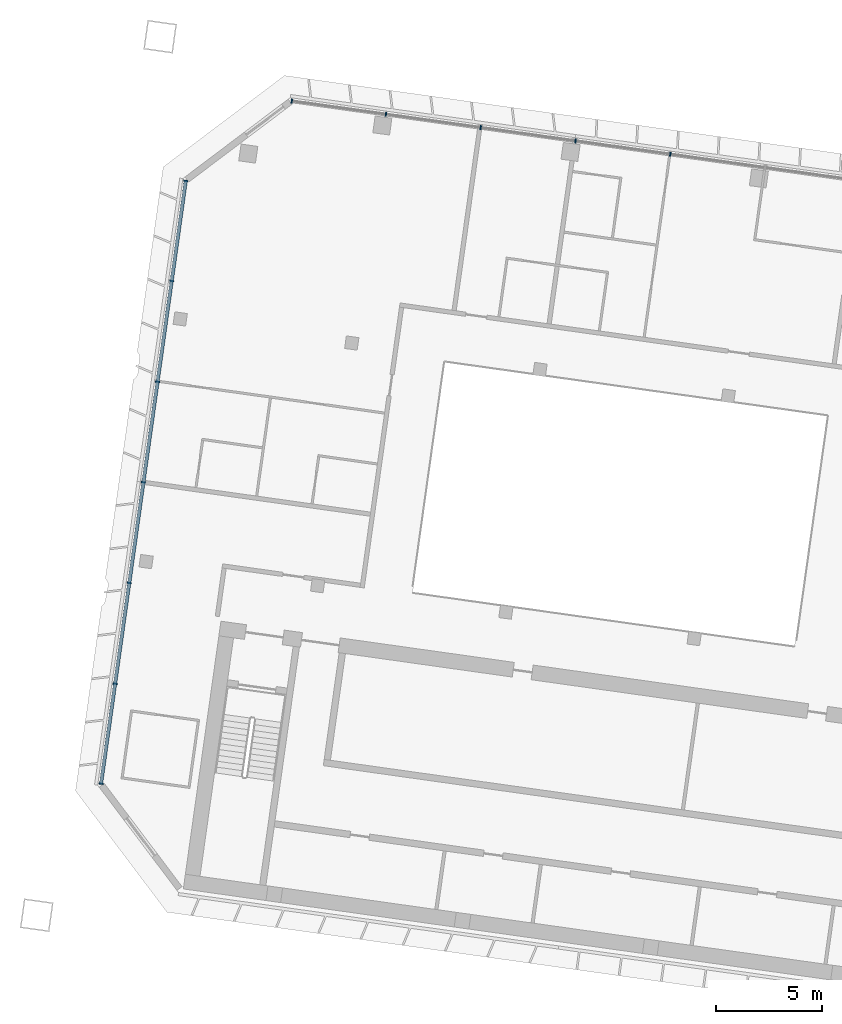
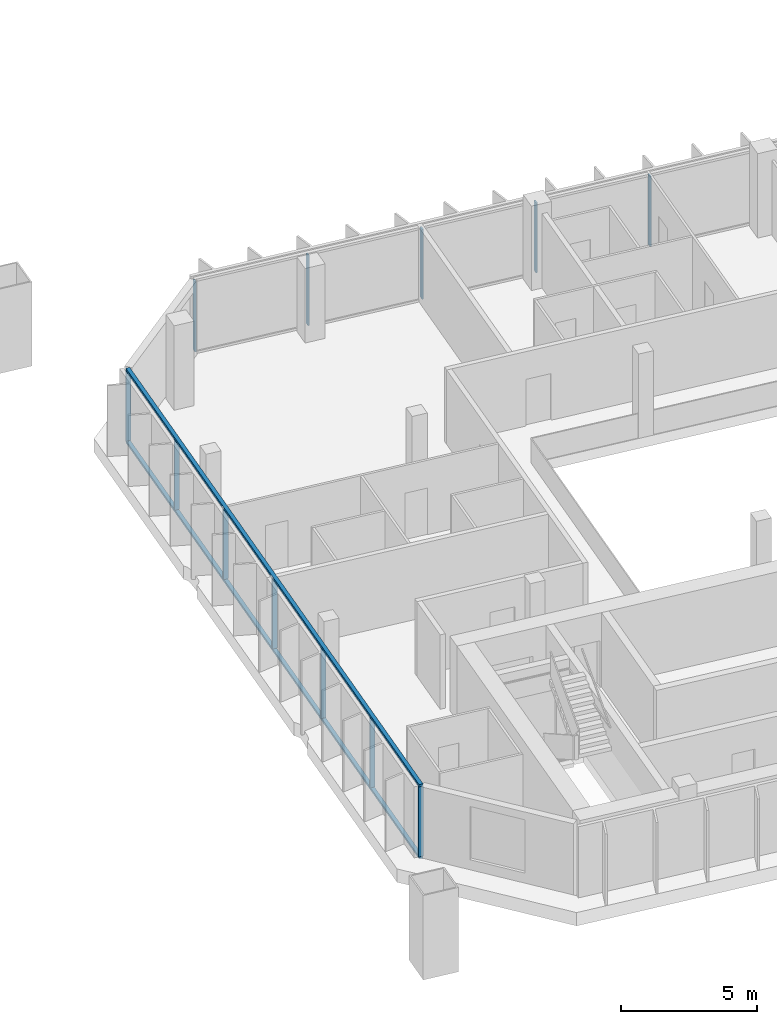
# One storey, part 2 of 25: 14 members, 2 elements without a shape of their own.
"""IFC4 building model written with IfcOpenShell, lengths in metres."""

from ifc_helpers import new_model, si_unit, direction, frame, origin, origin_2d, place, context, subcontext, project, spatial, rectangle, extrude, material, material_profile, profile_set, type_object, element, aggregate, save


model = new_model("IFC4")

# Units and contexts
model_context = context("Model", 3, precision=1e-05, world=origin(), true_north=direction((0.0, 1.0)))
body_context = subcontext(model_context, "Body", "Model", "MODEL_VIEW")
ifc_project = project(units=[si_unit("LENGTHUNIT", "METRE"), si_unit("AREAUNIT", "SQUARE_METRE"), si_unit("VOLUMEUNIT", "CUBIC_METRE"), si_unit("PLANEANGLEUNIT", "RADIAN"), si_unit("MASSUNIT", "GRAM", prefix="KILO")], contexts=[model_context])

# Site, building, storey
site_placement = place(None, origin())
site = spatial("IfcSite", under=ifc_project, at=site_placement, CompositionType="ELEMENT")
building_placement = place(site_placement, origin())
building = spatial("IfcBuilding", under=site, at=building_placement, Name="Mirante Cascada Hotel Towers", CompositionType="ELEMENT")
storey_placement = place(building_placement, frame((0.0, 0.0, 172.6)))
storey = spatial("IfcBuildingStorey", under=building, at=storey_placement, Name="L40", CompositionType="ELEMENT", Elevation=172.6)

# Curtain wall, members
ifc_material_1 = material(Name="Aluminium mullion and transom frame with clear laminated glass", Category="aluminium")
curtain_wall_type_1 = type_object("IfcCurtainWallType", Name="Ribbon curtain wall ECW1", PredefinedType="NOTDEFINED", material=ifc_material_1)
curtain_wall_1_placement = place(storey_placement, origin())
curtain_wall_1 = element("IfcCurtainWall", 1, at=curtain_wall_1_placement, inside=storey, type_object=curtain_wall_type_1, Name="Front ribbon wall T1 L40", PredefinedType="NOTDEFINED")
ifc_material_2 = material(Name="Anodised aluminium extrusion", Category="aluminium")
ifc_material_profile_1 = material_profile(ifc_material_2, rectangle(XDim=0.2, YDim=0.065, at=origin_2d()), Name="ECW1 MULLION 65x200")
ifc_profile_set_1 = profile_set([ifc_material_profile_1], Name="Anodised aluminium extrusion")
member_type_1 = type_object("IfcMemberType", Name="ECW1 mullion 65x200", PredefinedType="MULLION", material=ifc_profile_set_1)
member_1_placement = place(storey_placement, frame((-85.2136, 24.795, 0.1), z_axis=(0.0, 0.0, 1.0), x_axis=(0.1391731, 0.9902681, 0.0)))
member_1 = element("IfcMember", 2, at=member_1_placement, type_object=member_type_1, Name="ECW1 mullion 1", PredefinedType="MULLION", context=body_context, shape_type="SweptSolid", body=[
    extrude(rectangle(XDim=0.2, YDim=0.065, at=origin_2d()), origin(), (0.0, 0.0, 1.0), 3.15),
])
member_2_placement = place(storey_placement, frame((-80.758, 24.1688, 0.1), z_axis=(0.0, 0.0, 1.0), x_axis=(0.1391731, 0.9902681, 0.0)))
member_2 = element("IfcMember", 3, at=member_2_placement, type_object=member_type_1, Name="ECW1 mullion 2", PredefinedType="MULLION", context=body_context, shape_type="SweptSolid", body=[
    extrude(rectangle(XDim=0.2, YDim=0.065, at=origin_2d()), origin(), (0.0, 0.0, 1.0), 3.15),
])
member_3_placement = place(storey_placement, frame((-76.2702, 23.5381, 0.1), z_axis=(0.0, 0.0, 1.0), x_axis=(0.1391731, 0.9902681, 0.0)))
member_3 = element("IfcMember", 4, at=member_3_placement, type_object=member_type_1, Name="ECW1 mullion 3", PredefinedType="MULLION", context=body_context, shape_type="SweptSolid", body=[
    extrude(rectangle(XDim=0.2, YDim=0.065, at=origin_2d()), origin(), (0.0, 0.0, 1.0), 3.15),
])
member_4_placement = place(storey_placement, frame((-71.7824, 22.9074, 0.1), z_axis=(0.0, 0.0, 1.0), x_axis=(0.1391731, 0.9902681, 0.0)))
member_4 = element("IfcMember", 5, at=member_4_placement, type_object=member_type_1, Name="ECW1 mullion 4", PredefinedType="MULLION", context=body_context, shape_type="SweptSolid", body=[
    extrude(rectangle(XDim=0.2, YDim=0.065, at=origin_2d()), origin(), (0.0, 0.0, 1.0), 3.15),
])
member_5_placement = place(storey_placement, frame((-67.2947, 22.2767, 0.1), z_axis=(0.0, 0.0, 1.0), x_axis=(0.1391731, 0.9902681, 0.0)))
member_5 = element("IfcMember", 6, at=member_5_placement, type_object=member_type_1, Name="ECW1 mullion 5", PredefinedType="MULLION", context=body_context, shape_type="SweptSolid", body=[
    extrude(rectangle(XDim=0.2, YDim=0.065, at=origin_2d()), origin(), (0.0, 0.0, 1.0), 3.15),
])
aggregate(curtain_wall_1, [member_1, member_2, member_3, member_4, member_5])

ifc_material_3 = material(Name="Aluminium mullion and transom frame with clear laminated glass", Category="aluminium")
curtain_wall_type_2 = type_object("IfcCurtainWallType", Name="End ribbon curtain wall ECW2", PredefinedType="NOTDEFINED", material=ifc_material_3)
curtain_wall_2_placement = place(storey_placement, origin())
curtain_wall_2 = element("IfcCurtainWall", 7, at=curtain_wall_2_placement, inside=storey, type_object=curtain_wall_type_2, Name="Outer end wall T1 L40", PredefinedType="NOTDEFINED")
ifc_material_4 = material(Name="Anodised aluminium extrusion", Category="aluminium")
ifc_material_profile_2 = material_profile(ifc_material_4, rectangle(XDim=0.2, YDim=0.065, at=origin_2d()), Name="ECW2 MULLION 65x200")
ifc_profile_set_2 = profile_set([ifc_material_profile_2], Name="Anodised aluminium extrusion")
member_type_2 = type_object("IfcMemberType", Name="ECW2 mullion 65x200", PredefinedType="MULLION", material=ifc_profile_set_2)
member_6_placement = place(storey_placement, frame((-94.2432, -7.5181, 0.1), z_axis=(0.0, 0.0, 1.0), x_axis=(-0.9902681, 0.1391731, 0.0)))
member_6 = element("IfcMember", 8, at=member_6_placement, type_object=member_type_2, Name="ECW2 mullion 1", PredefinedType="MULLION", context=body_context, shape_type="SweptSolid", body=[
    extrude(rectangle(XDim=0.2, YDim=0.065, at=origin_2d()), origin(), (0.0, 0.0, 1.0), 3.15),
])
member_7_placement = place(storey_placement, frame((-93.5779, -2.7845, 0.1), z_axis=(0.0, 0.0, 1.0), x_axis=(-0.9902681, 0.1391731, 0.0)))
member_7 = element("IfcMember", 9, at=member_7_placement, type_object=member_type_2, Name="ECW2 mullion 2", PredefinedType="MULLION", context=body_context, shape_type="SweptSolid", body=[
    extrude(rectangle(XDim=0.2, YDim=0.065, at=origin_2d()), origin(), (0.0, 0.0, 1.0), 3.15),
])
member_8_placement = place(storey_placement, frame((-92.9081, 1.9812, 0.1), z_axis=(0.0, 0.0, 1.0), x_axis=(-0.9902681, 0.1391731, 0.0)))
member_8 = element("IfcMember", 10, at=member_8_placement, type_object=member_type_2, Name="ECW2 mullion 3", PredefinedType="MULLION", context=body_context, shape_type="SweptSolid", body=[
    extrude(rectangle(XDim=0.2, YDim=0.065, at=origin_2d()), origin(), (0.0, 0.0, 1.0), 3.15),
])
member_9_placement = place(storey_placement, frame((-92.2383, 6.747, 0.1), z_axis=(0.0, 0.0, 1.0), x_axis=(-0.9902681, 0.1391731, 0.0)))
member_9 = element("IfcMember", 11, at=member_9_placement, type_object=member_type_2, Name="ECW2 mullion 4", PredefinedType="MULLION", context=body_context, shape_type="SweptSolid", body=[
    extrude(rectangle(XDim=0.2, YDim=0.065, at=origin_2d()), origin(), (0.0, 0.0, 1.0), 3.15),
])
member_10_placement = place(storey_placement, frame((-91.5686, 11.5128, 0.1), z_axis=(0.0, 0.0, 1.0), x_axis=(-0.9902681, 0.1391731, 0.0)))
member_10 = element("IfcMember", 12, at=member_10_placement, type_object=member_type_2, Name="ECW2 mullion 5", PredefinedType="MULLION", context=body_context, shape_type="SweptSolid", body=[
    extrude(rectangle(XDim=0.2, YDim=0.065, at=origin_2d()), origin(), (0.0, 0.0, 1.0), 3.15),
])
member_11_placement = place(storey_placement, frame((-90.8988, 16.2786, 0.1), z_axis=(0.0, 0.0, 1.0), x_axis=(-0.9902681, 0.1391731, 0.0)))
member_11 = element("IfcMember", 13, at=member_11_placement, type_object=member_type_2, Name="ECW2 mullion 6", PredefinedType="MULLION", context=body_context, shape_type="SweptSolid", body=[
    extrude(rectangle(XDim=0.2, YDim=0.065, at=origin_2d()), origin(), (0.0, 0.0, 1.0), 3.15),
])
member_12_placement = place(storey_placement, frame((-90.2335, 21.0122, 0.1), z_axis=(0.0, 0.0, 1.0), x_axis=(-0.9902681, 0.1391731, 0.0)))
member_12 = element("IfcMember", 14, at=member_12_placement, type_object=member_type_2, Name="ECW2 mullion 7", PredefinedType="MULLION", context=body_context, shape_type="SweptSolid", body=[
    extrude(rectangle(XDim=0.2, YDim=0.065, at=origin_2d()), origin(), (0.0, 0.0, 1.0), 3.15),
])
ifc_material_5 = material(Name="Anodised aluminium extrusion", Category="aluminium")
ifc_material_profile_3 = material_profile(ifc_material_5, rectangle(XDim=0.16, YDim=0.1, at=origin_2d()), Name="ECW2 TRANSOM 100x160")
ifc_profile_set_3 = profile_set([ifc_material_profile_3], Name="Anodised aluminium extrusion")
member_type_3 = type_object("IfcMemberType", Name="ECW2 transom 100x160", PredefinedType="USERDEFINED", material=ifc_profile_set_3)
member_13_placement = place(storey_placement, frame((-94.2477, -7.5503, 0.05), z_axis=(0.1391723, 0.9902682, 0.0), x_axis=(-0.9902682, 0.1391723, 0.0)))
member_13 = element("IfcMember", 15, at=member_13_placement, type_object=member_type_3, Name="ECW2 sill transom", ObjectType="TRANSOM", PredefinedType="USERDEFINED", context=body_context, shape_type="SweptSolid", body=[
    extrude(rectangle(XDim=0.16, YDim=0.1, at=origin_2d()), origin(), (0.0, 0.0, 1.0), 28.8757),
])
member_14_placement = place(storey_placement, frame((-94.2477, -7.5503, 3.3), z_axis=(0.1391723, 0.9902682, 0.0), x_axis=(-0.9902682, 0.1391723, 0.0)))
member_14 = element("IfcMember", 16, at=member_14_placement, type_object=member_type_3, Name="ECW2 head transom", ObjectType="TRANSOM", PredefinedType="USERDEFINED", context=body_context, shape_type="SweptSolid", body=[
    extrude(rectangle(XDim=0.16, YDim=0.1, at=origin_2d()), origin(), (0.0, 0.0, 1.0), 28.8757),
])
aggregate(curtain_wall_2, [member_13, member_14, member_6, member_7, member_8, member_9, member_10, member_11, member_12])

save(model, "model.ifc")
